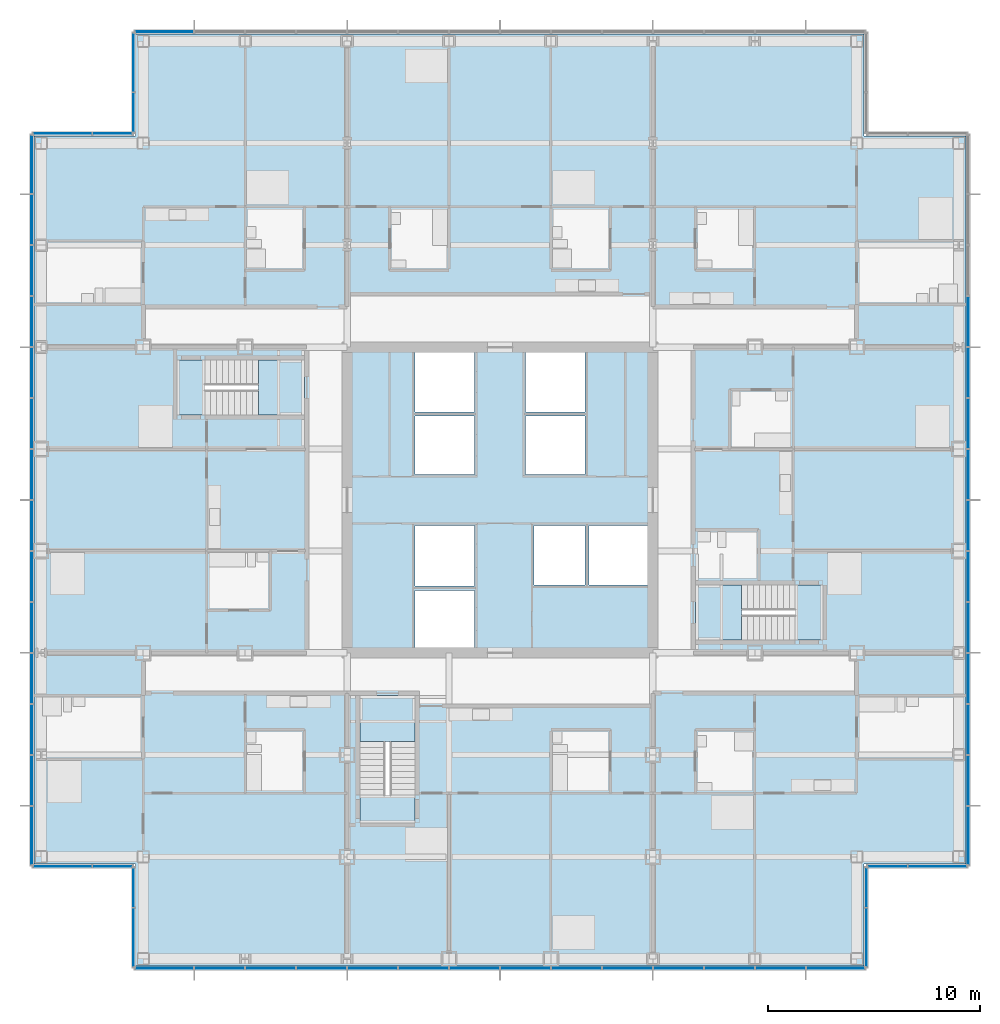
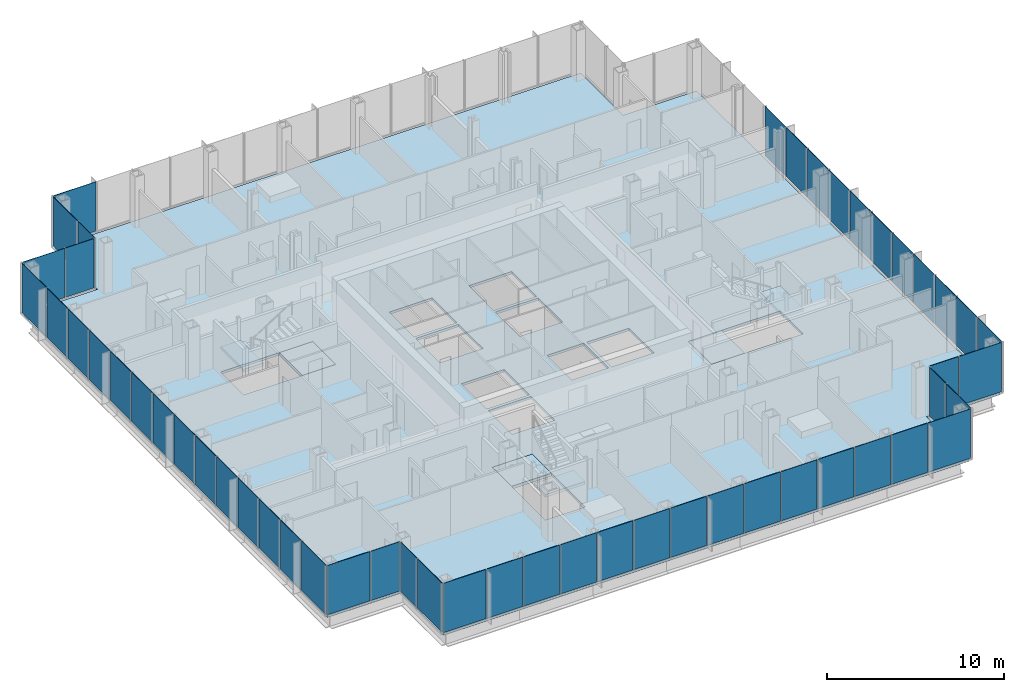
# One storey, part 12 of 21: 52 plates, 7 slabs, 13 elements without a shape of their own.
"""IFC4 building model written with IfcOpenShell, lengths in metres."""

from ifc_helpers import new_model, si_unit, direction, frame, origin, origin_2d, place, context, subcontext, project, spatial, polyline, rectangle, outline, extrude, material, layer, layer_set, type_object, element, aggregate, save


model = new_model("IFC4")

# Units and contexts
model_context = context("Model", 3, precision=1e-05, world=origin(), true_north=direction((0.0, 1.0)))
body_context = subcontext(model_context, "Body", "Model", "MODEL_VIEW")
ifc_project = project(units=[si_unit("LENGTHUNIT", "METRE"), si_unit("AREAUNIT", "SQUARE_METRE"), si_unit("VOLUMEUNIT", "CUBIC_METRE"), si_unit("PLANEANGLEUNIT", "RADIAN"), si_unit("MASSUNIT", "GRAM", prefix="KILO")], contexts=[model_context])

# Site, building, storey
site_placement = place(None, origin())
site = spatial("IfcSite", under=ifc_project, at=site_placement, CompositionType="ELEMENT")
building_placement = place(site_placement, origin())
building = spatial("IfcBuilding", under=site, at=building_placement, Name="Kvirike Care Tower", CompositionType="ELEMENT")
storey_placement = place(building_placement, frame((0.0, 0.0, 58.5)))
storey = spatial("IfcBuildingStorey", under=building, at=storey_placement, Name="L15", CompositionType="ELEMENT", Elevation=58.5)

# Slab
ifc_material_1 = material(Name="Concrete C35/45", Category="concrete")
ifc_layer_1 = layer(ifc_material_1, 0.169921875)
ifc_layer_set_1 = layer_set([ifc_layer_1], Name="FLOOR SLAB 170")
slab_type_1 = type_object("IfcSlabType", Name="FLOOR SLAB 170", PredefinedType="FLOOR", material=ifc_layer_set_1)
slab_1_placement = place(storey_placement, frame((0.0, 0.0, -0.169921875)))
element("IfcSlab", 1, at=slab_1_placement, inside=storey, type_object=slab_type_1, Name="Floor slab L15", PredefinedType="FLOOR", context=body_context, shape_type="SweptSolid", body=[
    extrude(outline(polyline([(-0.35009765625, 53.14990234375), (-0.35009765625, 18.85009765625), (4.449951171875, 18.85009765625), (4.449951171875, 14.050048828125), (38.75, 14.050048828125), (38.75, 18.85009765625), (43.550048828125, 18.85009765625), (43.550048828125, 53.14990234375), (38.75, 53.14990234375), (38.75, 57.949951171875), (4.449951171875, 57.949951171875), (4.449951171875, 53.14990234375), (-0.35009765625, 53.14990234375)]), holes=[polyline([(17.60009765625, 29.050048828125), (17.60009765625, 31.75), (20.39990234375, 31.75), (20.39990234375, 29.050048828125), (17.60009765625, 29.050048828125)]), polyline([(17.60009765625, 31.949951171875), (17.60009765625, 34.800048828125), (20.39990234375, 34.800048828125), (20.39990234375, 31.949951171875), (17.60009765625, 31.949951171875)]), polyline([(17.60009765625, 37.199951171875), (17.60009765625, 39.949951171875), (20.39990234375, 39.949951171875), (20.39990234375, 37.199951171875), (17.60009765625, 37.199951171875)]), polyline([(17.60009765625, 40.14990234375), (17.60009765625, 42.949951171875), (20.39990234375, 42.949951171875), (20.39990234375, 40.14990234375), (17.60009765625, 40.14990234375)]), polyline([(22.800048828125, 37.199951171875), (22.800048828125, 39.949951171875), (25.60009765625, 39.949951171875), (25.60009765625, 37.199951171875), (22.800048828125, 37.199951171875)]), polyline([(22.800048828125, 40.14990234375), (22.800048828125, 42.949951171875), (25.60009765625, 42.949951171875), (25.60009765625, 40.14990234375), (22.800048828125, 40.14990234375)]), polyline([(23.199951171875, 32.0), (23.199951171875, 34.800048828125), (25.60009765625, 34.800048828125), (25.60009765625, 32.0), (23.199951171875, 32.0)]), polyline([(25.800048828125, 32.0), (25.800048828125, 34.800048828125), (28.550048828125, 34.800048828125), (28.550048828125, 32.0), (25.800048828125, 32.0)]), polyline([(12.39990234375, 42.60009765625), (12.39990234375, 40.0), (6.39990234375, 40.0), (6.39990234375, 42.60009765625), (12.39990234375, 42.60009765625)]), polyline([(30.800048828125, 29.39990234375), (30.800048828125, 32.0), (36.800048828125, 32.0), (36.800048828125, 29.39990234375), (30.800048828125, 29.39990234375)]), polyline([(15.0, 26.800048828125), (17.60009765625, 26.800048828125), (17.60009765625, 20.800048828125), (15.0, 20.800048828125), (15.0, 26.800048828125)])]), origin(), (0.0, 0.0, 1.0), 0.169921875),
])

# Stair, slabs
ifc_material_2 = material(Name="Concrete C35/45", Category="concrete")
stair_type = type_object("IfcStairType", Name="STAIR 20 RISERS", PredefinedType="HALF_TURN_STAIR", material=ifc_material_2)
stair_1_placement = place(storey_placement, origin())
stair_1 = element("IfcStair", 2, at=stair_1_placement, inside=storey, type_object=stair_type, Name="Stair 1 L15", PredefinedType="HALF_TURN_STAIR")
ifc_material_3 = material(Name="Concrete C35/45", Category="concrete")
ifc_layer_2 = layer(ifc_material_3, 0.199951171875)
ifc_layer_set_2 = layer_set([ifc_layer_2], Name="STAIR LANDING 200")
slab_type_2 = type_object("IfcSlabType", Name="STAIR LANDING 200", PredefinedType="LANDING", material=ifc_layer_set_2)
slab_2_placement = place(storey_placement, frame((0.0, 0.0, -0.199951171875)))
slab_2 = element("IfcSlab", 3, at=slab_2_placement, type_object=slab_type_2, Name="Stair S1 floor landing L15", PredefinedType="LANDING", context=body_context, shape_type="SweptSolid", body=[
    extrude(outline(polyline([(10.219970703125, 42.60009765625), (10.219970703125, 40.0), (12.39990234375, 40.0), (12.39990234375, 42.60009765625), (10.219970703125, 42.60009765625)])), origin(), (0.0, 0.0, 1.0), 0.199951171875),
])
slab_3_placement = place(storey_placement, frame((0.0, 0.0, 1.550048828125)))
slab_3 = element("IfcSlab", 4, at=slab_3_placement, type_object=slab_type_2, Name="Stair S1 half landing L15-L16", PredefinedType="LANDING", context=body_context, shape_type="SweptSolid", body=[
    extrude(outline(polyline([(6.39990234375, 42.60009765625), (6.39990234375, 40.0), (7.699951171875, 40.0), (7.699951171875, 42.60009765625), (6.39990234375, 42.60009765625)])), origin(), (0.0, 0.0, 1.0), 0.199951171875),
])
aggregate(stair_1, [slab_2, slab_3])

stair_2_placement = place(storey_placement, origin())
stair_2 = element("IfcStair", 5, at=stair_2_placement, inside=storey, type_object=stair_type, Name="Stair 2 L15", PredefinedType="HALF_TURN_STAIR")
slab_4_placement = place(storey_placement, frame((0.0, 0.0, -0.199951171875)))
slab_4 = element("IfcSlab", 6, at=slab_4_placement, type_object=slab_type_2, Name="Stair S2 floor landing L15", PredefinedType="LANDING", context=body_context, shape_type="SweptSolid", body=[
    extrude(outline(polyline([(32.97998046875, 29.39990234375), (32.97998046875, 32.0), (30.800048828125, 32.0), (30.800048828125, 29.39990234375), (32.97998046875, 29.39990234375)])), origin(), (0.0, 0.0, 1.0), 0.199951171875),
])
slab_5_placement = place(storey_placement, frame((0.0, 0.0, 1.550048828125)))
slab_5 = element("IfcSlab", 7, at=slab_5_placement, type_object=slab_type_2, Name="Stair S2 half landing L15-L16", PredefinedType="LANDING", context=body_context, shape_type="SweptSolid", body=[
    extrude(outline(polyline([(36.800048828125, 29.39990234375), (36.800048828125, 32.0), (35.5, 32.0), (35.5, 29.39990234375), (36.800048828125, 29.39990234375)])), origin(), (0.0, 0.0, 1.0), 0.199951171875),
])
aggregate(stair_2, [slab_4, slab_5])

stair_3_placement = place(storey_placement, origin())
stair_3 = element("IfcStair", 8, at=stair_3_placement, inside=storey, type_object=stair_type, Name="Stair 5 L15", PredefinedType="HALF_TURN_STAIR")
slab_6_placement = place(storey_placement, frame((0.0, 0.0, -0.199951171875)))
slab_6 = element("IfcSlab", 9, at=slab_6_placement, type_object=slab_type_2, Name="Stair S5 floor landing L15", PredefinedType="LANDING", context=body_context, shape_type="SweptSolid", body=[
    extrude(outline(polyline([(15.0, 24.6201171875), (17.60009765625, 24.6201171875), (17.60009765625, 26.800048828125), (15.0, 26.800048828125), (15.0, 24.6201171875)])), origin(), (0.0, 0.0, 1.0), 0.199951171875),
])
slab_7_placement = place(storey_placement, frame((0.0, 0.0, 1.550048828125)))
slab_7 = element("IfcSlab", 10, at=slab_7_placement, type_object=slab_type_2, Name="Stair S5 half landing L15-L16", PredefinedType="LANDING", context=body_context, shape_type="SweptSolid", body=[
    extrude(outline(polyline([(15.0, 20.800048828125), (17.60009765625, 20.800048828125), (17.60009765625, 22.10009765625), (15.0, 22.10009765625), (15.0, 20.800048828125)])), origin(), (0.0, 0.0, 1.0), 0.199951171875),
])
aggregate(stair_3, [slab_6, slab_7])

# Curtain wall, plates
ifc_material_4 = material(Name="Anodised aluminium stick system", Category="aluminium")
curtain_wall_type = type_object("IfcCurtainWallType", Name="CW-A STICK CURTAIN WALL", PredefinedType="NOTDEFINED", material=ifc_material_4)
curtain_wall_1_placement = place(storey_placement, origin())
curtain_wall_1 = element("IfcCurtainWall", 11, at=curtain_wall_1_placement, inside=storey, type_object=curtain_wall_type, Name="Curtain wall L15 face 1", PredefinedType="NOTDEFINED")
ifc_material_5 = material(Name="Tinted double glazed unit", Category="glass")
ifc_layer_3 = layer(ifc_material_5, 0.031982421875)
ifc_layer_set_3 = layer_set([ifc_layer_3], Name="TINTED VISION PANEL 32")
plate_type = type_object("IfcPlateType", Name="TINTED VISION PANEL 32", PredefinedType="CURTAIN_PANEL", material=ifc_layer_set_3)
plate_1_placement = place(storey_placement, frame((-0.449951171875, 51.808837890625, 0.10009765625), z_axis=(0.0, 0.0, 1.0), x_axis=(0.0, -1.0, 0.0)))
plate_1 = element("IfcPlate", 12, at=plate_1_placement, type_object=plate_type, Name="CW-A panel L15 face 1.1", PredefinedType="CURTAIN_PANEL", context=body_context, shape_type="SweptSolid", body=[
    extrude(rectangle(XDim=2.75244140625, YDim=0.031982421875, at=origin_2d()), origin(), (0.0, 0.0, 1.0), 3.39990234375),
])
plate_2_placement = place(storey_placement, frame((-0.449951171875, 49.199951171875, 0.10009765625), z_axis=(0.0, 0.0, 1.0), x_axis=(0.0, -1.0, 0.0)))
plate_2 = element("IfcPlate", 13, at=plate_2_placement, type_object=plate_type, Name="CW-A panel L15 face 1.2", PredefinedType="CURTAIN_PANEL", context=body_context, shape_type="SweptSolid", body=[
    extrude(rectangle(XDim=2.3349609375, YDim=0.031982421875, at=origin_2d()), origin(), (0.0, 0.0, 1.0), 3.39990234375),
])
plate_3_placement = place(storey_placement, frame((-0.449951171875, 46.800048828125, 0.10009765625), z_axis=(0.0, 0.0, 1.0), x_axis=(0.0, -1.0, 0.0)))
plate_3 = element("IfcPlate", 14, at=plate_3_placement, type_object=plate_type, Name="CW-A panel L15 face 1.3", PredefinedType="CURTAIN_PANEL", context=body_context, shape_type="SweptSolid", body=[
    extrude(rectangle(XDim=2.3349609375, YDim=0.031982421875, at=origin_2d()), origin(), (0.0, 0.0, 1.0), 3.39990234375),
])
plate_4_placement = place(storey_placement, frame((-0.449951171875, 44.39990234375, 0.10009765625), z_axis=(0.0, 0.0, 1.0), x_axis=(0.0, -1.0, 0.0)))
plate_4 = element("IfcPlate", 15, at=plate_4_placement, type_object=plate_type, Name="CW-A panel L15 face 1.4", PredefinedType="CURTAIN_PANEL", context=body_context, shape_type="SweptSolid", body=[
    extrude(rectangle(XDim=2.3349609375, YDim=0.031982421875, at=origin_2d()), origin(), (0.0, 0.0, 1.0), 3.39990234375),
])
plate_5_placement = place(storey_placement, frame((-0.449951171875, 42.0, 0.10009765625), z_axis=(0.0, 0.0, 1.0), x_axis=(0.0, -1.0, 0.0)))
plate_5 = element("IfcPlate", 16, at=plate_5_placement, type_object=plate_type, Name="CW-A panel L15 face 1.5", PredefinedType="CURTAIN_PANEL", context=body_context, shape_type="SweptSolid", body=[
    extrude(rectangle(XDim=2.3349609375, YDim=0.031982421875, at=origin_2d()), origin(), (0.0, 0.0, 1.0), 3.39990234375),
])
plate_6_placement = place(storey_placement, frame((-0.449951171875, 39.60009765625, 0.10009765625), z_axis=(0.0, 0.0, 1.0), x_axis=(0.0, -1.0, 0.0)))
plate_6 = element("IfcPlate", 17, at=plate_6_placement, type_object=plate_type, Name="CW-A panel L15 face 1.6", PredefinedType="CURTAIN_PANEL", context=body_context, shape_type="SweptSolid", body=[
    extrude(rectangle(XDim=2.3349609375, YDim=0.031982421875, at=origin_2d()), origin(), (0.0, 0.0, 1.0), 3.39990234375),
])
plate_7_placement = place(storey_placement, frame((-0.449951171875, 37.199951171875, 0.10009765625), z_axis=(0.0, 0.0, 1.0), x_axis=(0.0, -1.0, 0.0)))
plate_7 = element("IfcPlate", 18, at=plate_7_placement, type_object=plate_type, Name="CW-A panel L15 face 1.7", PredefinedType="CURTAIN_PANEL", context=body_context, shape_type="SweptSolid", body=[
    extrude(rectangle(XDim=2.3349609375, YDim=0.031982421875, at=origin_2d()), origin(), (0.0, 0.0, 1.0), 3.39990234375),
])
plate_8_placement = place(storey_placement, frame((-0.449951171875, 34.800048828125, 0.10009765625), z_axis=(0.0, 0.0, 1.0), x_axis=(0.0, -1.0, 0.0)))
plate_8 = element("IfcPlate", 19, at=plate_8_placement, type_object=plate_type, Name="CW-A panel L15 face 1.8", PredefinedType="CURTAIN_PANEL", context=body_context, shape_type="SweptSolid", body=[
    extrude(rectangle(XDim=2.3349609375, YDim=0.031982421875, at=origin_2d()), origin(), (0.0, 0.0, 1.0), 3.39990234375),
])
plate_9_placement = place(storey_placement, frame((-0.449951171875, 32.39990234375, 0.10009765625), z_axis=(0.0, 0.0, 1.0), x_axis=(0.0, -1.0, 0.0)))
plate_9 = element("IfcPlate", 20, at=plate_9_placement, type_object=plate_type, Name="CW-A panel L15 face 1.9", PredefinedType="CURTAIN_PANEL", context=body_context, shape_type="SweptSolid", body=[
    extrude(rectangle(XDim=2.3349609375, YDim=0.031982421875, at=origin_2d()), origin(), (0.0, 0.0, 1.0), 3.39990234375),
])
plate_10_placement = place(storey_placement, frame((-0.449951171875, 30.0, 0.10009765625), z_axis=(0.0, 0.0, 1.0), x_axis=(0.0, -1.0, 0.0)))
plate_10 = element("IfcPlate", 21, at=plate_10_placement, type_object=plate_type, Name="CW-A panel L15 face 1.10", PredefinedType="CURTAIN_PANEL", context=body_context, shape_type="SweptSolid", body=[
    extrude(rectangle(XDim=2.3349609375, YDim=0.031982421875, at=origin_2d()), origin(), (0.0, 0.0, 1.0), 3.39990234375),
])
plate_11_placement = place(storey_placement, frame((-0.449951171875, 27.60009765625, 0.10009765625), z_axis=(0.0, 0.0, 1.0), x_axis=(0.0, -1.0, 0.0)))
plate_11 = element("IfcPlate", 22, at=plate_11_placement, type_object=plate_type, Name="CW-A panel L15 face 1.11", PredefinedType="CURTAIN_PANEL", context=body_context, shape_type="SweptSolid", body=[
    extrude(rectangle(XDim=2.3349609375, YDim=0.031982421875, at=origin_2d()), origin(), (0.0, 0.0, 1.0), 3.39990234375),
])
plate_12_placement = place(storey_placement, frame((-0.449951171875, 25.199951171875, 0.10009765625), z_axis=(0.0, 0.0, 1.0), x_axis=(0.0, -1.0, 0.0)))
plate_12 = element("IfcPlate", 23, at=plate_12_placement, type_object=plate_type, Name="CW-A panel L15 face 1.12", PredefinedType="CURTAIN_PANEL", context=body_context, shape_type="SweptSolid", body=[
    extrude(rectangle(XDim=2.3349609375, YDim=0.031982421875, at=origin_2d()), origin(), (0.0, 0.0, 1.0), 3.39990234375),
])
plate_13_placement = place(storey_placement, frame((-0.449951171875, 22.800048828125, 0.10009765625), z_axis=(0.0, 0.0, 1.0), x_axis=(0.0, -1.0, 0.0)))
plate_13 = element("IfcPlate", 24, at=plate_13_placement, type_object=plate_type, Name="CW-A panel L15 face 1.13", PredefinedType="CURTAIN_PANEL", context=body_context, shape_type="SweptSolid", body=[
    extrude(rectangle(XDim=2.3349609375, YDim=0.031982421875, at=origin_2d()), origin(), (0.0, 0.0, 1.0), 3.39990234375),
])
plate_14_placement = place(storey_placement, frame((-0.449951171875, 20.191162109375, 0.10009765625), z_axis=(0.0, 0.0, 1.0), x_axis=(0.0, -1.0, 0.0)))
plate_14 = element("IfcPlate", 25, at=plate_14_placement, type_object=plate_type, Name="CW-A panel L15 face 1.14", PredefinedType="CURTAIN_PANEL", context=body_context, shape_type="SweptSolid", body=[
    extrude(rectangle(XDim=2.75244140625, YDim=0.031982421875, at=origin_2d()), origin(), (0.0, 0.0, 1.0), 3.39990234375),
])
aggregate(curtain_wall_1, [plate_1, plate_2, plate_3, plate_4, plate_5, plate_6, plate_7, plate_8, plate_9, plate_10, plate_11, plate_12, plate_13, plate_14])

curtain_wall_2_placement = place(storey_placement, origin())
curtain_wall_2 = element("IfcCurtainWall", 26, at=curtain_wall_2_placement, inside=storey, type_object=curtain_wall_type, Name="Curtain wall L15 face 2", PredefinedType="NOTDEFINED")
plate_15_placement = place(storey_placement, frame((0.9912109375, 18.75, 0.10009765625), z_axis=(0.0, 0.0, 1.0), x_axis=(1.0, 0.0, 0.0)))
plate_15 = element("IfcPlate", 27, at=plate_15_placement, type_object=plate_type, Name="CW-A panel L15 face 2.1", PredefinedType="CURTAIN_PANEL", context=body_context, shape_type="SweptSolid", body=[
    extrude(rectangle(XDim=2.75244140625, YDim=0.031982421875, at=origin_2d()), origin(), (0.0, 0.0, 1.0), 3.39990234375),
])
plate_16_placement = place(storey_placement, frame((3.358642578125, 18.75, 0.10009765625), z_axis=(0.0, 0.0, 1.0), x_axis=(1.0, 0.0, 0.0)))
plate_16 = element("IfcPlate", 28, at=plate_16_placement, type_object=plate_type, Name="CW-A panel L15 face 2.2", PredefinedType="CURTAIN_PANEL", context=body_context, shape_type="SweptSolid", body=[
    extrude(rectangle(XDim=1.8525390625, YDim=0.031982421875, at=origin_2d()), origin(), (0.0, 0.0, 1.0), 3.39990234375),
])
aggregate(curtain_wall_2, [plate_15, plate_16])

curtain_wall_3_placement = place(storey_placement, origin())
curtain_wall_3 = element("IfcCurtainWall", 29, at=curtain_wall_3_placement, inside=storey, type_object=curtain_wall_type, Name="Curtain wall L15 face 3", PredefinedType="NOTDEFINED")
plate_17_placement = place(storey_placement, frame((4.35009765625, 17.7587890625, 0.10009765625), z_axis=(0.0, 0.0, 1.0), x_axis=(0.0, -1.0, 0.0)))
plate_17 = element("IfcPlate", 30, at=plate_17_placement, type_object=plate_type, Name="CW-A panel L15 face 3.1", PredefinedType="CURTAIN_PANEL", context=body_context, shape_type="SweptSolid", body=[
    extrude(rectangle(XDim=1.8525390625, YDim=0.031982421875, at=origin_2d()), origin(), (0.0, 0.0, 1.0), 3.39990234375),
])
plate_18_placement = place(storey_placement, frame((4.35009765625, 15.391357421875, 0.10009765625), z_axis=(0.0, 0.0, 1.0), x_axis=(0.0, -1.0, 0.0)))
plate_18 = element("IfcPlate", 31, at=plate_18_placement, type_object=plate_type, Name="CW-A panel L15 face 3.2", PredefinedType="CURTAIN_PANEL", context=body_context, shape_type="SweptSolid", body=[
    extrude(rectangle(XDim=2.75244140625, YDim=0.031982421875, at=origin_2d()), origin(), (0.0, 0.0, 1.0), 3.39990234375),
])
aggregate(curtain_wall_3, [plate_17, plate_18])

curtain_wall_4_placement = place(storey_placement, origin())
curtain_wall_4 = element("IfcCurtainWall", 32, at=curtain_wall_4_placement, inside=storey, type_object=curtain_wall_type, Name="Curtain wall L15 face 4", PredefinedType="NOTDEFINED")
plate_19_placement = place(storey_placement, frame((5.791259765625, 13.949951171875, 0.10009765625), z_axis=(0.0, 0.0, 1.0), x_axis=(1.0, 0.0, 0.0)))
plate_19 = element("IfcPlate", 33, at=plate_19_placement, type_object=plate_type, Name="CW-A panel L15 face 4.1", PredefinedType="CURTAIN_PANEL", context=body_context, shape_type="SweptSolid", body=[
    extrude(rectangle(XDim=2.75244140625, YDim=0.031982421875, at=origin_2d()), origin(), (0.0, 0.0, 1.0), 3.39990234375),
])
plate_20_placement = place(storey_placement, frame((8.39990234375, 13.949951171875, 0.10009765625), z_axis=(0.0, 0.0, 1.0), x_axis=(1.0, 0.0, 0.0)))
plate_20 = element("IfcPlate", 34, at=plate_20_placement, type_object=plate_type, Name="CW-A panel L15 face 4.2", PredefinedType="CURTAIN_PANEL", context=body_context, shape_type="SweptSolid", body=[
    extrude(rectangle(XDim=2.3349609375, YDim=0.031982421875, at=origin_2d()), origin(), (0.0, 0.0, 1.0), 3.39990234375),
])
plate_21_placement = place(storey_placement, frame((10.800048828125, 13.949951171875, 0.10009765625), z_axis=(0.0, 0.0, 1.0), x_axis=(1.0, 0.0, 0.0)))
plate_21 = element("IfcPlate", 35, at=plate_21_placement, type_object=plate_type, Name="CW-A panel L15 face 4.3", PredefinedType="CURTAIN_PANEL", context=body_context, shape_type="SweptSolid", body=[
    extrude(rectangle(XDim=2.3349609375, YDim=0.031982421875, at=origin_2d()), origin(), (0.0, 0.0, 1.0), 3.39990234375),
])
plate_22_placement = place(storey_placement, frame((13.199951171875, 13.949951171875, 0.10009765625), z_axis=(0.0, 0.0, 1.0), x_axis=(1.0, 0.0, 0.0)))
plate_22 = element("IfcPlate", 36, at=plate_22_placement, type_object=plate_type, Name="CW-A panel L15 face 4.4", PredefinedType="CURTAIN_PANEL", context=body_context, shape_type="SweptSolid", body=[
    extrude(rectangle(XDim=2.3349609375, YDim=0.031982421875, at=origin_2d()), origin(), (0.0, 0.0, 1.0), 3.39990234375),
])
plate_23_placement = place(storey_placement, frame((15.60009765625, 13.949951171875, 0.10009765625), z_axis=(0.0, 0.0, 1.0), x_axis=(1.0, 0.0, 0.0)))
plate_23 = element("IfcPlate", 37, at=plate_23_placement, type_object=plate_type, Name="CW-A panel L15 face 4.5", PredefinedType="CURTAIN_PANEL", context=body_context, shape_type="SweptSolid", body=[
    extrude(rectangle(XDim=2.3349609375, YDim=0.031982421875, at=origin_2d()), origin(), (0.0, 0.0, 1.0), 3.39990234375),
])
plate_24_placement = place(storey_placement, frame((18.0, 13.949951171875, 0.10009765625), z_axis=(0.0, 0.0, 1.0), x_axis=(1.0, 0.0, 0.0)))
plate_24 = element("IfcPlate", 38, at=plate_24_placement, type_object=plate_type, Name="CW-A panel L15 face 4.6", PredefinedType="CURTAIN_PANEL", context=body_context, shape_type="SweptSolid", body=[
    extrude(rectangle(XDim=2.3349609375, YDim=0.031982421875, at=origin_2d()), origin(), (0.0, 0.0, 1.0), 3.39990234375),
])
plate_25_placement = place(storey_placement, frame((20.39990234375, 13.949951171875, 0.10009765625), z_axis=(0.0, 0.0, 1.0), x_axis=(1.0, 0.0, 0.0)))
plate_25 = element("IfcPlate", 39, at=plate_25_placement, type_object=plate_type, Name="CW-A panel L15 face 4.7", PredefinedType="CURTAIN_PANEL", context=body_context, shape_type="SweptSolid", body=[
    extrude(rectangle(XDim=2.3349609375, YDim=0.031982421875, at=origin_2d()), origin(), (0.0, 0.0, 1.0), 3.39990234375),
])
plate_26_placement = place(storey_placement, frame((22.800048828125, 13.949951171875, 0.10009765625), z_axis=(0.0, 0.0, 1.0), x_axis=(1.0, 0.0, 0.0)))
plate_26 = element("IfcPlate", 40, at=plate_26_placement, type_object=plate_type, Name="CW-A panel L15 face 4.8", PredefinedType="CURTAIN_PANEL", context=body_context, shape_type="SweptSolid", body=[
    extrude(rectangle(XDim=2.3349609375, YDim=0.031982421875, at=origin_2d()), origin(), (0.0, 0.0, 1.0), 3.39990234375),
])
plate_27_placement = place(storey_placement, frame((25.199951171875, 13.949951171875, 0.10009765625), z_axis=(0.0, 0.0, 1.0), x_axis=(1.0, 0.0, 0.0)))
plate_27 = element("IfcPlate", 41, at=plate_27_placement, type_object=plate_type, Name="CW-A panel L15 face 4.9", PredefinedType="CURTAIN_PANEL", context=body_context, shape_type="SweptSolid", body=[
    extrude(rectangle(XDim=2.3349609375, YDim=0.031982421875, at=origin_2d()), origin(), (0.0, 0.0, 1.0), 3.39990234375),
])
plate_28_placement = place(storey_placement, frame((27.60009765625, 13.949951171875, 0.10009765625), z_axis=(0.0, 0.0, 1.0), x_axis=(1.0, 0.0, 0.0)))
plate_28 = element("IfcPlate", 42, at=plate_28_placement, type_object=plate_type, Name="CW-A panel L15 face 4.10", PredefinedType="CURTAIN_PANEL", context=body_context, shape_type="SweptSolid", body=[
    extrude(rectangle(XDim=2.3349609375, YDim=0.031982421875, at=origin_2d()), origin(), (0.0, 0.0, 1.0), 3.39990234375),
])
plate_29_placement = place(storey_placement, frame((30.0, 13.949951171875, 0.10009765625), z_axis=(0.0, 0.0, 1.0), x_axis=(1.0, 0.0, 0.0)))
plate_29 = element("IfcPlate", 43, at=plate_29_placement, type_object=plate_type, Name="CW-A panel L15 face 4.11", PredefinedType="CURTAIN_PANEL", context=body_context, shape_type="SweptSolid", body=[
    extrude(rectangle(XDim=2.3349609375, YDim=0.031982421875, at=origin_2d()), origin(), (0.0, 0.0, 1.0), 3.39990234375),
])
plate_30_placement = place(storey_placement, frame((32.39990234375, 13.949951171875, 0.10009765625), z_axis=(0.0, 0.0, 1.0), x_axis=(1.0, 0.0, 0.0)))
plate_30 = element("IfcPlate", 44, at=plate_30_placement, type_object=plate_type, Name="CW-A panel L15 face 4.12", PredefinedType="CURTAIN_PANEL", context=body_context, shape_type="SweptSolid", body=[
    extrude(rectangle(XDim=2.3349609375, YDim=0.031982421875, at=origin_2d()), origin(), (0.0, 0.0, 1.0), 3.39990234375),
])
plate_31_placement = place(storey_placement, frame((34.800048828125, 13.949951171875, 0.10009765625), z_axis=(0.0, 0.0, 1.0), x_axis=(1.0, 0.0, 0.0)))
plate_31 = element("IfcPlate", 45, at=plate_31_placement, type_object=plate_type, Name="CW-A panel L15 face 4.13", PredefinedType="CURTAIN_PANEL", context=body_context, shape_type="SweptSolid", body=[
    extrude(rectangle(XDim=2.3349609375, YDim=0.031982421875, at=origin_2d()), origin(), (0.0, 0.0, 1.0), 3.39990234375),
])
plate_32_placement = place(storey_placement, frame((37.40869140625, 13.949951171875, 0.10009765625), z_axis=(0.0, 0.0, 1.0), x_axis=(1.0, 0.0, 0.0)))
plate_32 = element("IfcPlate", 46, at=plate_32_placement, type_object=plate_type, Name="CW-A panel L15 face 4.14", PredefinedType="CURTAIN_PANEL", context=body_context, shape_type="SweptSolid", body=[
    extrude(rectangle(XDim=2.75244140625, YDim=0.031982421875, at=origin_2d()), origin(), (0.0, 0.0, 1.0), 3.39990234375),
])
aggregate(curtain_wall_4, [plate_19, plate_20, plate_21, plate_22, plate_23, plate_24, plate_25, plate_26, plate_27, plate_28, plate_29, plate_30, plate_31, plate_32])

curtain_wall_5_placement = place(storey_placement, origin())
curtain_wall_5 = element("IfcCurtainWall", 47, at=curtain_wall_5_placement, inside=storey, type_object=curtain_wall_type, Name="Curtain wall L15 face 5", PredefinedType="NOTDEFINED")
plate_33_placement = place(storey_placement, frame((38.85009765625, 15.391357421875, 0.10009765625), z_axis=(0.0, 0.0, 1.0), x_axis=(0.0, 1.0, 0.0)))
plate_33 = element("IfcPlate", 48, at=plate_33_placement, type_object=plate_type, Name="CW-A panel L15 face 5.1", PredefinedType="CURTAIN_PANEL", context=body_context, shape_type="SweptSolid", body=[
    extrude(rectangle(XDim=2.75244140625, YDim=0.031982421875, at=origin_2d()), origin(), (0.0, 0.0, 1.0), 3.39990234375),
])
plate_34_placement = place(storey_placement, frame((38.85009765625, 17.7587890625, 0.10009765625), z_axis=(0.0, 0.0, 1.0), x_axis=(0.0, 1.0, 0.0)))
plate_34 = element("IfcPlate", 49, at=plate_34_placement, type_object=plate_type, Name="CW-A panel L15 face 5.2", PredefinedType="CURTAIN_PANEL", context=body_context, shape_type="SweptSolid", body=[
    extrude(rectangle(XDim=1.8525390625, YDim=0.031982421875, at=origin_2d()), origin(), (0.0, 0.0, 1.0), 3.39990234375),
])
aggregate(curtain_wall_5, [plate_33, plate_34])

curtain_wall_6_placement = place(storey_placement, origin())
curtain_wall_6 = element("IfcCurtainWall", 50, at=curtain_wall_6_placement, inside=storey, type_object=curtain_wall_type, Name="Curtain wall L15 face 6", PredefinedType="NOTDEFINED")
plate_35_placement = place(storey_placement, frame((39.84130859375, 18.75, 0.10009765625), z_axis=(0.0, 0.0, 1.0), x_axis=(1.0, 0.0, 0.0)))
plate_35 = element("IfcPlate", 51, at=plate_35_placement, type_object=plate_type, Name="CW-A panel L15 face 6.1", PredefinedType="CURTAIN_PANEL", context=body_context, shape_type="SweptSolid", body=[
    extrude(rectangle(XDim=1.8525390625, YDim=0.031982421875, at=origin_2d()), origin(), (0.0, 0.0, 1.0), 3.39990234375),
])
plate_36_placement = place(storey_placement, frame((42.208740234375, 18.75, 0.10009765625), z_axis=(0.0, 0.0, 1.0), x_axis=(1.0, 0.0, 0.0)))
plate_36 = element("IfcPlate", 52, at=plate_36_placement, type_object=plate_type, Name="CW-A panel L15 face 6.2", PredefinedType="CURTAIN_PANEL", context=body_context, shape_type="SweptSolid", body=[
    extrude(rectangle(XDim=2.75244140625, YDim=0.031982421875, at=origin_2d()), origin(), (0.0, 0.0, 1.0), 3.39990234375),
])
aggregate(curtain_wall_6, [plate_35, plate_36])

curtain_wall_7_placement = place(storey_placement, origin())
curtain_wall_7 = element("IfcCurtainWall", 53, at=curtain_wall_7_placement, inside=storey, type_object=curtain_wall_type, Name="Curtain wall L15 face 7", PredefinedType="NOTDEFINED")
plate_37_placement = place(storey_placement, frame((43.64990234375, 20.191162109375, 0.10009765625), z_axis=(0.0, 0.0, 1.0), x_axis=(0.0, 1.0, 0.0)))
plate_37 = element("IfcPlate", 54, at=plate_37_placement, type_object=plate_type, Name="CW-A panel L15 face 7.1", PredefinedType="CURTAIN_PANEL", context=body_context, shape_type="SweptSolid", body=[
    extrude(rectangle(XDim=2.75244140625, YDim=0.031982421875, at=origin_2d()), origin(), (0.0, 0.0, 1.0), 3.39990234375),
])
plate_38_placement = place(storey_placement, frame((43.64990234375, 22.800048828125, 0.10009765625), z_axis=(0.0, 0.0, 1.0), x_axis=(0.0, 1.0, 0.0)))
plate_38 = element("IfcPlate", 55, at=plate_38_placement, type_object=plate_type, Name="CW-A panel L15 face 7.2", PredefinedType="CURTAIN_PANEL", context=body_context, shape_type="SweptSolid", body=[
    extrude(rectangle(XDim=2.3349609375, YDim=0.031982421875, at=origin_2d()), origin(), (0.0, 0.0, 1.0), 3.39990234375),
])
plate_39_placement = place(storey_placement, frame((43.64990234375, 25.199951171875, 0.10009765625), z_axis=(0.0, 0.0, 1.0), x_axis=(0.0, 1.0, 0.0)))
plate_39 = element("IfcPlate", 56, at=plate_39_placement, type_object=plate_type, Name="CW-A panel L15 face 7.3", PredefinedType="CURTAIN_PANEL", context=body_context, shape_type="SweptSolid", body=[
    extrude(rectangle(XDim=2.3349609375, YDim=0.031982421875, at=origin_2d()), origin(), (0.0, 0.0, 1.0), 3.39990234375),
])
plate_40_placement = place(storey_placement, frame((43.64990234375, 27.60009765625, 0.10009765625), z_axis=(0.0, 0.0, 1.0), x_axis=(0.0, 1.0, 0.0)))
plate_40 = element("IfcPlate", 57, at=plate_40_placement, type_object=plate_type, Name="CW-A panel L15 face 7.4", PredefinedType="CURTAIN_PANEL", context=body_context, shape_type="SweptSolid", body=[
    extrude(rectangle(XDim=2.3349609375, YDim=0.031982421875, at=origin_2d()), origin(), (0.0, 0.0, 1.0), 3.39990234375),
])
plate_41_placement = place(storey_placement, frame((43.64990234375, 30.0, 0.10009765625), z_axis=(0.0, 0.0, 1.0), x_axis=(0.0, 1.0, 0.0)))
plate_41 = element("IfcPlate", 58, at=plate_41_placement, type_object=plate_type, Name="CW-A panel L15 face 7.5", PredefinedType="CURTAIN_PANEL", context=body_context, shape_type="SweptSolid", body=[
    extrude(rectangle(XDim=2.3349609375, YDim=0.031982421875, at=origin_2d()), origin(), (0.0, 0.0, 1.0), 3.39990234375),
])
plate_42_placement = place(storey_placement, frame((43.64990234375, 32.39990234375, 0.10009765625), z_axis=(0.0, 0.0, 1.0), x_axis=(0.0, 1.0, 0.0)))
plate_42 = element("IfcPlate", 59, at=plate_42_placement, type_object=plate_type, Name="CW-A panel L15 face 7.6", PredefinedType="CURTAIN_PANEL", context=body_context, shape_type="SweptSolid", body=[
    extrude(rectangle(XDim=2.3349609375, YDim=0.031982421875, at=origin_2d()), origin(), (0.0, 0.0, 1.0), 3.39990234375),
])
plate_43_placement = place(storey_placement, frame((43.64990234375, 34.800048828125, 0.10009765625), z_axis=(0.0, 0.0, 1.0), x_axis=(0.0, 1.0, 0.0)))
plate_43 = element("IfcPlate", 60, at=plate_43_placement, type_object=plate_type, Name="CW-A panel L15 face 7.7", PredefinedType="CURTAIN_PANEL", context=body_context, shape_type="SweptSolid", body=[
    extrude(rectangle(XDim=2.3349609375, YDim=0.031982421875, at=origin_2d()), origin(), (0.0, 0.0, 1.0), 3.39990234375),
])
plate_44_placement = place(storey_placement, frame((43.64990234375, 37.199951171875, 0.10009765625), z_axis=(0.0, 0.0, 1.0), x_axis=(0.0, 1.0, 0.0)))
plate_44 = element("IfcPlate", 61, at=plate_44_placement, type_object=plate_type, Name="CW-A panel L15 face 7.8", PredefinedType="CURTAIN_PANEL", context=body_context, shape_type="SweptSolid", body=[
    extrude(rectangle(XDim=2.3349609375, YDim=0.031982421875, at=origin_2d()), origin(), (0.0, 0.0, 1.0), 3.39990234375),
])
plate_45_placement = place(storey_placement, frame((43.64990234375, 39.60009765625, 0.10009765625), z_axis=(0.0, 0.0, 1.0), x_axis=(0.0, 1.0, 0.0)))
plate_45 = element("IfcPlate", 62, at=plate_45_placement, type_object=plate_type, Name="CW-A panel L15 face 7.9", PredefinedType="CURTAIN_PANEL", context=body_context, shape_type="SweptSolid", body=[
    extrude(rectangle(XDim=2.3349609375, YDim=0.031982421875, at=origin_2d()), origin(), (0.0, 0.0, 1.0), 3.39990234375),
])
plate_46_placement = place(storey_placement, frame((43.64990234375, 42.0, 0.10009765625), z_axis=(0.0, 0.0, 1.0), x_axis=(0.0, 1.0, 0.0)))
plate_46 = element("IfcPlate", 63, at=plate_46_placement, type_object=plate_type, Name="CW-A panel L15 face 7.10", PredefinedType="CURTAIN_PANEL", context=body_context, shape_type="SweptSolid", body=[
    extrude(rectangle(XDim=2.3349609375, YDim=0.031982421875, at=origin_2d()), origin(), (0.0, 0.0, 1.0), 3.39990234375),
])
plate_47_placement = place(storey_placement, frame((43.64990234375, 44.39990234375, 0.10009765625), z_axis=(0.0, 0.0, 1.0), x_axis=(0.0, 1.0, 0.0)))
plate_47 = element("IfcPlate", 64, at=plate_47_placement, type_object=plate_type, Name="CW-A panel L15 face 7.11", PredefinedType="CURTAIN_PANEL", context=body_context, shape_type="SweptSolid", body=[
    extrude(rectangle(XDim=2.3349609375, YDim=0.031982421875, at=origin_2d()), origin(), (0.0, 0.0, 1.0), 3.39990234375),
])
aggregate(curtain_wall_7, [plate_37, plate_38, plate_39, plate_40, plate_41, plate_42, plate_43, plate_44, plate_45, plate_46, plate_47])

# Curtain wall, plate
curtain_wall_8_placement = place(storey_placement, origin())
curtain_wall_8 = element("IfcCurtainWall", 65, at=curtain_wall_8_placement, inside=storey, type_object=curtain_wall_type, Name="Curtain wall L15 face 10", PredefinedType="NOTDEFINED")
plate_48_placement = place(storey_placement, frame((5.791259765625, 58.050048828125, 0.10009765625), z_axis=(0.0, 0.0, 1.0), x_axis=(-1.0, 0.0, 0.0)))
plate_48 = element("IfcPlate", 66, at=plate_48_placement, type_object=plate_type, Name="CW-A panel L15 face 10.14", PredefinedType="CURTAIN_PANEL", context=body_context, shape_type="SweptSolid", body=[
    extrude(rectangle(XDim=2.75244140625, YDim=0.031982421875, at=origin_2d()), origin(), (0.0, 0.0, 1.0), 3.39990234375),
])
aggregate(curtain_wall_8, [plate_48])

# Curtain wall, plates
curtain_wall_9_placement = place(storey_placement, origin())
curtain_wall_9 = element("IfcCurtainWall", 67, at=curtain_wall_9_placement, inside=storey, type_object=curtain_wall_type, Name="Curtain wall L15 face 11", PredefinedType="NOTDEFINED")
plate_49_placement = place(storey_placement, frame((4.35009765625, 56.608642578125, 0.10009765625), z_axis=(0.0, 0.0, 1.0), x_axis=(0.0, -1.0, 0.0)))
plate_49 = element("IfcPlate", 68, at=plate_49_placement, type_object=plate_type, Name="CW-A panel L15 face 11.1", PredefinedType="CURTAIN_PANEL", context=body_context, shape_type="SweptSolid", body=[
    extrude(rectangle(XDim=2.75244140625, YDim=0.031982421875, at=origin_2d()), origin(), (0.0, 0.0, 1.0), 3.39990234375),
])
plate_50_placement = place(storey_placement, frame((4.35009765625, 54.2412109375, 0.10009765625), z_axis=(0.0, 0.0, 1.0), x_axis=(0.0, -1.0, 0.0)))
plate_50 = element("IfcPlate", 69, at=plate_50_placement, type_object=plate_type, Name="CW-A panel L15 face 11.2", PredefinedType="CURTAIN_PANEL", context=body_context, shape_type="SweptSolid", body=[
    extrude(rectangle(XDim=1.8525390625, YDim=0.031982421875, at=origin_2d()), origin(), (0.0, 0.0, 1.0), 3.39990234375),
])
aggregate(curtain_wall_9, [plate_49, plate_50])

curtain_wall_10_placement = place(storey_placement, origin())
curtain_wall_10 = element("IfcCurtainWall", 70, at=curtain_wall_10_placement, inside=storey, type_object=curtain_wall_type, Name="Curtain wall L15 face 12", PredefinedType="NOTDEFINED")
plate_51_placement = place(storey_placement, frame((3.358642578125, 53.25, 0.10009765625), z_axis=(0.0, 0.0, 1.0), x_axis=(-1.0, 0.0, 0.0)))
plate_51 = element("IfcPlate", 71, at=plate_51_placement, type_object=plate_type, Name="CW-A panel L15 face 12.1", PredefinedType="CURTAIN_PANEL", context=body_context, shape_type="SweptSolid", body=[
    extrude(rectangle(XDim=1.8525390625, YDim=0.031982421875, at=origin_2d()), origin(), (0.0, 0.0, 1.0), 3.39990234375),
])
plate_52_placement = place(storey_placement, frame((0.9912109375, 53.25, 0.10009765625), z_axis=(0.0, 0.0, 1.0), x_axis=(-1.0, 0.0, 0.0)))
plate_52 = element("IfcPlate", 72, at=plate_52_placement, type_object=plate_type, Name="CW-A panel L15 face 12.2", PredefinedType="CURTAIN_PANEL", context=body_context, shape_type="SweptSolid", body=[
    extrude(rectangle(XDim=2.75244140625, YDim=0.031982421875, at=origin_2d()), origin(), (0.0, 0.0, 1.0), 3.39990234375),
])
aggregate(curtain_wall_10, [plate_51, plate_52])

save(model, "model.ifc")
